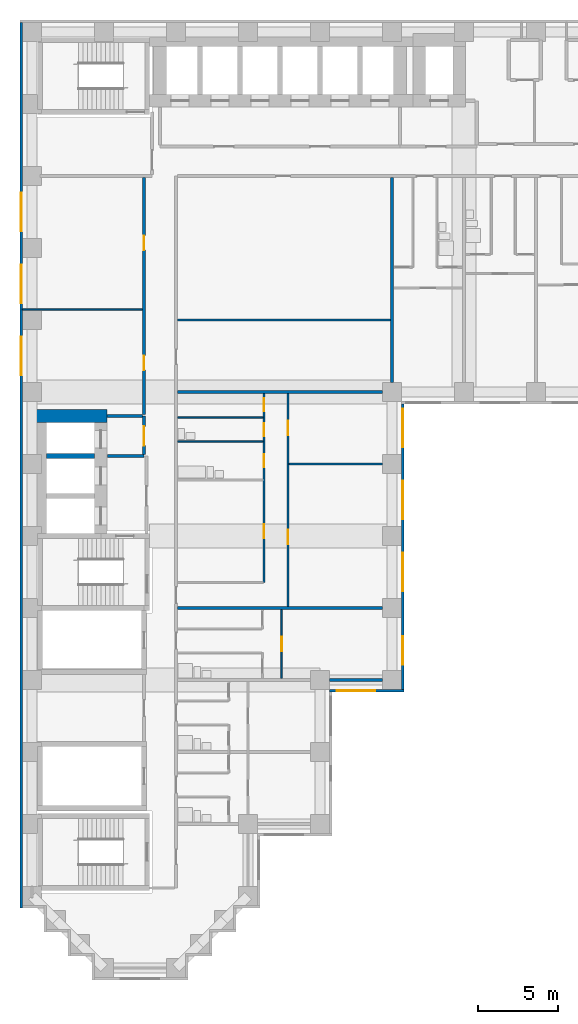
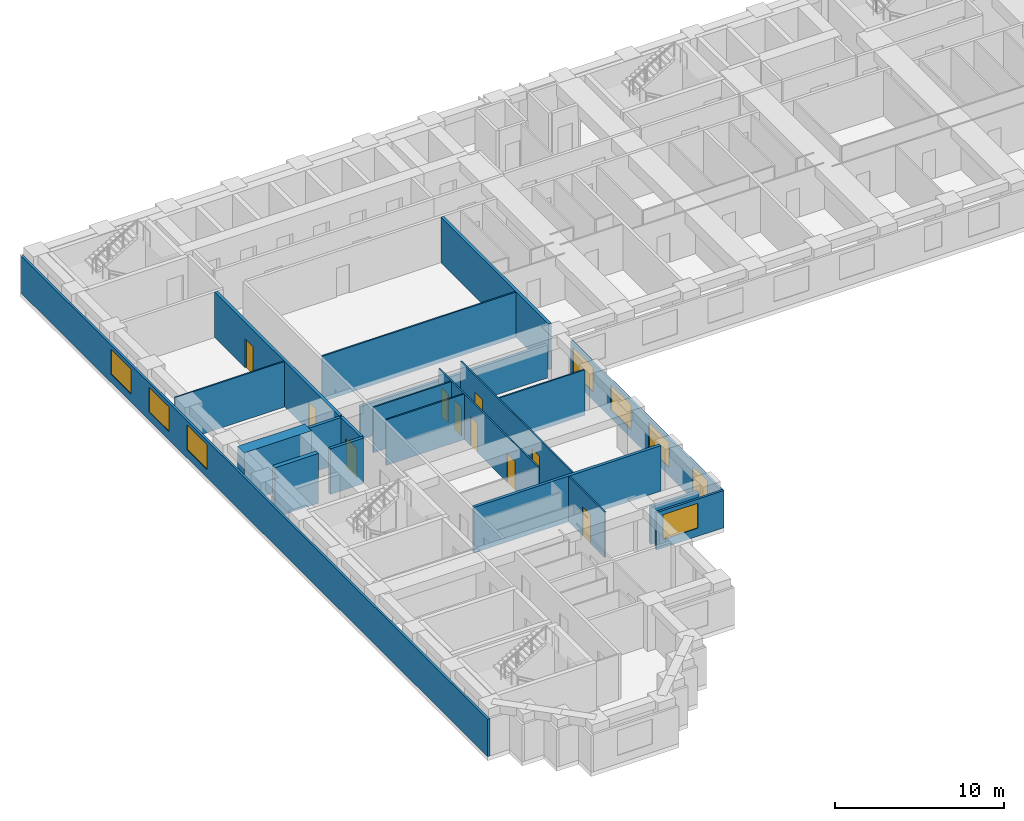
# One storey, part 4 of 12: 21 walls, 10 doors, 8 windows, 18 openings.
"""IFC4 building model written with IfcOpenShell, lengths in metres."""

from ifc_helpers import new_model, si_unit, direction, frame, frame_2d, origin, place, context, subcontext, project, spatial, rectangle, extrude, material, layer, layer_set, type_object, element, fill, save


model = new_model("IFC4")

# Units and contexts
model_context = context("Model", 3, precision=1e-05, world=origin(), true_north=direction((0.0, 1.0)))
body_context = subcontext(model_context, "Body", "Model", "MODEL_VIEW")
ifc_project = project(units=[si_unit("LENGTHUNIT", "METRE"), si_unit("AREAUNIT", "SQUARE_METRE"), si_unit("VOLUMEUNIT", "CUBIC_METRE"), si_unit("PLANEANGLEUNIT", "RADIAN"), si_unit("MASSUNIT", "GRAM", prefix="KILO")], contexts=[model_context])

# Site, building, storey
site_placement = place(None, origin())
site = spatial("IfcSite", under=ifc_project, at=site_placement, CompositionType="ELEMENT")
building_placement = place(site_placement, origin())
building = spatial("IfcBuilding", under=site, at=building_placement, Name="Firuza Court", CompositionType="ELEMENT")
storey_placement = place(building_placement, frame((0.0, 0.0, 43.39990234375)))
storey = spatial("IfcBuildingStorey", under=building, at=storey_placement, Name="L09", CompositionType="ELEMENT", Elevation=43.39990234375)

# Walls
ifc_material_1 = material(Name="Moisture-resistant gypsum board partition")
ifc_layer_1 = layer(ifc_material_1, 0.10009765625)
ifc_layer_set_1 = layer_set([ifc_layer_1], Name="Moisture-resistant gypsum board partition")
wall_type_1 = type_object("IfcWallType", Name="Bathroom partition 100", PredefinedType="PLUMBINGWALL", material=ifc_layer_set_1)
for number, where, z_axis, x_axis, name in (
    (1, (9.10009765625, 32.89990234375, 0.0), (0.0, 0.0, 1.0), (1.0, 0.0, 0.0), "Bathroom partition 100 L09"),
    (2, (9.10009765625, 34.39990234375, 0.0), (0.0, 0.0, 1.0), (1.0, 0.0, 0.0), "Bathroom partition 100 L09"),
):
    element("IfcWall", number, at=place(storey_placement, frame(where, z_axis=z_axis, x_axis=x_axis)), inside=storey, type_object=wall_type_1, Name=name, PredefinedType="PLUMBINGWALL", context=body_context, shape_type="SweptSolid", body=[
        extrude(rectangle(XDim=5.349853515625, YDim=0.10009765625, at=frame_2d((2.6748046875, 0.0))), origin(), (0.0, 0.0, 1.0), 3.300048828125),
    ])
ifc_material_2 = material(Name="Concrete C60/75", Category="concrete")
ifc_layer_2 = layer(ifc_material_2, 0.300048828125)
ifc_layer_set_2 = layer_set([ifc_layer_2], Name="Concrete C60/75")
wall_type_2 = type_object("IfcWallType", Name="Core wall 300 C60/75", PredefinedType="SHEAR", material=ifc_layer_set_2)
wall_1_placement = place(storey_placement, frame((0.89990234375, 32.0, -0.2998046875), z_axis=(0.0, 0.0, 1.0), x_axis=(1.0, 0.0, 0.0)))
element("IfcWall", 3, at=wall_1_placement, inside=storey, type_object=wall_type_2, Name="Core wall lift shaft L09", PredefinedType="SHEAR", context=body_context, shape_type="SweptSolid", body=[
    extrude(rectangle(XDim=3.0, YDim=0.300048828125, at=frame_2d((1.5, 0.0))), origin(), (0.0, 0.0, 1.0), 3.599853515625),
])
ifc_layer_3 = layer(ifc_material_2, 0.800048828125)
ifc_layer_set_3 = layer_set([ifc_layer_3], Name="Concrete C60/75")
wall_type_3 = type_object("IfcWallType", Name="Core wall 800 C60/75", PredefinedType="SHEAR", material=ifc_layer_set_3)
wall_2_placement = place(storey_placement, frame((0.10009765625, 34.5, -0.2998046875), z_axis=(0.0, 0.0, 1.0), x_axis=(1.0, 0.0, 0.0)))
element("IfcWall", 4, at=wall_2_placement, inside=storey, type_object=wall_type_3, Name="Core wall lift shaft L09", PredefinedType="SHEAR", context=body_context, shape_type="SweptSolid", body=[
    extrude(rectangle(XDim=4.599853515625, YDim=0.800048828125, at=frame_2d((2.2998046875, 0.0))), origin(), (0.0, 0.0, 1.0), 3.599853515625),
])

# Wall, openings, doors
ifc_material_3 = material(Name="Blockwork, plastered both sides", Category="masonry")
ifc_layer_4 = layer(ifc_material_3, 0.199951171875)
ifc_layer_set_4 = layer_set([ifc_layer_4], Name="Blockwork, plastered both sides")
wall_type_4 = type_object("IfcWallType", Name="Corridor wall 200", PredefinedType="PARTITIONING", material=ifc_layer_set_4)
wall_3_placement = place(storey_placement, frame((7.0, 34.60009765625, 0.0), z_axis=(0.0, 0.0, 1.0), x_axis=(0.0, 1.0, 0.0)))
wall_3 = element("IfcWall", 5, at=wall_3_placement, inside=storey, type_object=wall_type_4, Name="Corridor wall 200 L09", PredefinedType="PARTITIONING", context=body_context, shape_type="SweptSolid", body=[
    extrude(rectangle(XDim=14.7998046875, YDim=0.199951171875, at=frame_2d((7.39990234375, 0.0))), origin(), (0.0, 0.0, 1.0), 3.300048828125),
])
opening_1_placement = place(wall_3_placement, frame((2.77490234375, 0.0, 0.0)))
opening_1 = element("IfcOpeningElement", 6, at=opening_1_placement, cuts=wall_3, Name="Opening D09041", PredefinedType="OPENING", context=body_context, shape_type="SweptSolid", body=[
    extrude(rectangle(XDim=0.89990234375, YDim=2.10009765625, at=frame_2d((0.449951171875, 1.050048828125))), frame((0.0, 0.11181640625, 0.0), z_axis=(0.0, -1.0, 0.0), x_axis=(1.0, 0.0, 0.0)), (0.0, 0.0, 1.0), 0.223876953125),
])
opening_2_placement = place(wall_3_placement, frame((10.27490234375, 0.0, 0.0)))
opening_2 = element("IfcOpeningElement", 7, at=opening_2_placement, cuts=wall_3, Name="Opening D09042", PredefinedType="OPENING", context=body_context, shape_type="SweptSolid", body=[
    extrude(rectangle(XDim=0.89990234375, YDim=2.10009765625, at=frame_2d((0.449951171875, 1.050048828125))), frame((0.0, 0.11181640625, 0.0), z_axis=(0.0, -1.0, 0.0), x_axis=(1.0, 0.0, 0.0)), (0.0, 0.0, 1.0), 0.223876953125),
])
ifc_material_4 = material(Name="Timber door leaf in hardwood frame", Category="wood")
door_type_1 = type_object("IfcDoorType", Name="Room door 900 EI 30", OperationType="SINGLE_SWING_LEFT", PredefinedType="DOOR", material=ifc_material_4)
door_1_placement = place(opening_1_placement, origin())
door_1 = element("IfcDoor", 8, at=door_1_placement, inside=storey, type_object=door_type_1, Name="Meeting room door", OperationType="SINGLE_SWING_LEFT", OverallHeight=2.10009765625, OverallWidth=0.89990234375, PredefinedType="DOOR", context=body_context, shape_type="SweptSolid", body=[
    extrude(rectangle(XDim=0.89990234375, YDim=2.10009765625, at=frame_2d((0.449951171875, 1.050048828125))), frame((0.0, 0.02490234375, 0.0), z_axis=(0.0, -1.0, 0.0), x_axis=(1.0, 0.0, 0.0)), (0.0, 0.0, 1.0), 0.050048828125),
])
fill(opening_1, door_1)
door_2_placement = place(opening_2_placement, origin())
door_2 = element("IfcDoor", 9, at=door_2_placement, inside=storey, type_object=door_type_1, Name="Meeting room door", OperationType="SINGLE_SWING_LEFT", OverallHeight=2.10009765625, OverallWidth=0.89990234375, PredefinedType="DOOR", context=body_context, shape_type="SweptSolid", body=[
    extrude(rectangle(XDim=0.89990234375, YDim=2.10009765625, at=frame_2d((0.449951171875, 1.050048828125))), frame((0.0, 0.02490234375, 0.0), z_axis=(0.0, -1.0, 0.0), x_axis=(1.0, 0.0, 0.0)), (0.0, 0.0, 1.0), 0.050048828125),
])
fill(opening_2, door_2)

# Wall, opening, door
ifc_material_5 = material(Name="Timber stud partition, plasterboard both sides", Category="wood")
ifc_layer_5 = layer(ifc_material_5, 0.10009765625)
ifc_layer_set_5 = layer_set([ifc_layer_5], Name="Timber stud partition, plasterboard both sides")
wall_type_5 = type_object("IfcWallType", Name="Partition wall 100", PredefinedType="PARTITIONING", material=ifc_layer_set_5)
wall_4_placement = place(storey_placement, frame((15.60009765625, 18.10009765625, 0.0), z_axis=(0.0, 0.0, 1.0), x_axis=(0.0, 1.0, 0.0)))
wall_4 = element("IfcWall", 10, at=wall_4_placement, inside=storey, type_object=wall_type_5, Name="Partition wall 100 L09", PredefinedType="PARTITIONING", context=body_context, shape_type="SweptSolid", body=[
    extrude(rectangle(XDim=4.2998046875, YDim=0.10009765625, at=frame_2d((2.14990234375, 0.0))), origin(), (0.0, 0.0, 1.0), 3.300048828125),
])
opening_3_placement = place(wall_4_placement, frame((1.699951171875, 0.0, 0.0)))
opening_3 = element("IfcOpeningElement", 11, at=opening_3_placement, cuts=wall_4, Name="Opening D09033", PredefinedType="OPENING", context=body_context, shape_type="SweptSolid", body=[
    extrude(rectangle(XDim=0.89990234375, YDim=2.10009765625, at=frame_2d((0.449951171875, 1.050048828125))), frame((0.0, 0.06201171875, 0.0), z_axis=(0.0, -1.0, 0.0), x_axis=(1.0, 0.0, 0.0)), (0.0, 0.0, 1.0), 0.1240234375),
])
ifc_material_6 = material(Name="Timber door leaf in hardwood frame", Category="wood")
door_type_2 = type_object("IfcDoorType", Name="Room door 900", OperationType="SINGLE_SWING_LEFT", PredefinedType="DOOR", material=ifc_material_6)
door_3_placement = place(opening_3_placement, frame((0.89990234375, 0.0, 0.0), z_axis=(0.0, 0.0, 1.0), x_axis=(-1.0, 0.0, 0.0)))
door_3 = element("IfcDoor", 12, at=door_3_placement, inside=storey, type_object=door_type_2, Name="Studio room door", OperationType="SINGLE_SWING_RIGHT", OverallHeight=2.10009765625, OverallWidth=0.89990234375, PredefinedType="DOOR", context=body_context, shape_type="SweptSolid", body=[
    extrude(rectangle(XDim=0.89990234375, YDim=2.10009765625, at=frame_2d((0.449951171875, 1.050048828125))), frame((0.0, 0.02490234375, 0.0), z_axis=(0.0, -1.0, 0.0), x_axis=(1.0, 0.0, 0.0)), (0.0, 0.0, 1.0), 0.050048828125),
])
fill(opening_3, door_3)

# Wall, openings, doors
wall_5_placement = place(storey_placement, frame((16.0, 22.60009765625, 0.0), z_axis=(0.0, 0.0, 1.0), x_axis=(0.0, 1.0, 0.0)))
wall_5 = element("IfcWall", 13, at=wall_5_placement, inside=storey, type_object=wall_type_5, Name="Partition wall 100 L09", PredefinedType="PARTITIONING", context=body_context, shape_type="SweptSolid", body=[
    extrude(rectangle(XDim=13.2998046875, YDim=0.10009765625, at=frame_2d((6.64990234375, 0.0))), origin(), (0.0, 0.0, 1.0), 3.300048828125),
])
opening_4_placement = place(wall_5_placement, frame((3.89990234375, 0.0, 0.0)))
opening_4 = element("IfcOpeningElement", 14, at=opening_4_placement, cuts=wall_5, Name="Opening D09035", PredefinedType="OPENING", context=body_context, shape_type="SweptSolid", body=[
    extrude(rectangle(XDim=0.89990234375, YDim=2.10009765625, at=frame_2d((0.449951171875, 1.050048828125))), frame((0.0, 0.06201171875, 0.0), z_axis=(0.0, -1.0, 0.0), x_axis=(1.0, 0.0, 0.0)), (0.0, 0.0, 1.0), 0.1240234375),
])
opening_5_placement = place(wall_5_placement, frame((10.699951171875, 0.0, 0.0)))
opening_5 = element("IfcOpeningElement", 15, at=opening_5_placement, cuts=wall_5, Name="Opening D09036", PredefinedType="OPENING", context=body_context, shape_type="SweptSolid", body=[
    extrude(rectangle(XDim=0.89990234375, YDim=2.10009765625, at=frame_2d((0.449951171875, 1.050048828125))), frame((0.0, 0.06201171875, 0.0), z_axis=(0.0, -1.0, 0.0), x_axis=(1.0, 0.0, 0.0)), (0.0, 0.0, 1.0), 0.1240234375),
])
door_4_placement = place(opening_4_placement, frame((0.89990234375, 0.0, 0.0), z_axis=(0.0, 0.0, 1.0), x_axis=(-1.0, 0.0, 0.0)))
door_4 = element("IfcDoor", 16, at=door_4_placement, inside=storey, type_object=door_type_2, Name="Living room door", OperationType="SINGLE_SWING_RIGHT", OverallHeight=2.10009765625, OverallWidth=0.89990234375, PredefinedType="DOOR", context=body_context, shape_type="SweptSolid", body=[
    extrude(rectangle(XDim=0.89990234375, YDim=2.10009765625, at=frame_2d((0.449951171875, 1.050048828125))), frame((0.0, 0.02490234375, 0.0), z_axis=(0.0, -1.0, 0.0), x_axis=(1.0, 0.0, 0.0)), (0.0, 0.0, 1.0), 0.050048828125),
])
fill(opening_4, door_4)
door_5_placement = place(opening_5_placement, frame((0.89990234375, 0.0, 0.0), z_axis=(0.0, 0.0, 1.0), x_axis=(-1.0, 0.0, 0.0)))
door_5 = element("IfcDoor", 17, at=door_5_placement, inside=storey, type_object=door_type_2, Name="Bedroom door", OperationType="SINGLE_SWING_RIGHT", OverallHeight=2.10009765625, OverallWidth=0.89990234375, PredefinedType="DOOR", context=body_context, shape_type="SweptSolid", body=[
    extrude(rectangle(XDim=0.89990234375, YDim=2.10009765625, at=frame_2d((0.449951171875, 1.050048828125))), frame((0.0, 0.02490234375, 0.0), z_axis=(0.0, -1.0, 0.0), x_axis=(1.0, 0.0, 0.0)), (0.0, 0.0, 1.0), 0.050048828125),
])
fill(opening_5, door_5)

wall_6_placement = place(storey_placement, frame((14.5, 24.10009765625, 0.0), z_axis=(0.0, 0.0, 1.0), x_axis=(0.0, 1.0, 0.0)))
wall_6 = element("IfcWall", 18, at=wall_6_placement, inside=storey, type_object=wall_type_5, Name="Partition wall 100 L09", PredefinedType="PARTITIONING", context=body_context, shape_type="SweptSolid", body=[
    extrude(rectangle(XDim=11.7998046875, YDim=0.10009765625, at=frame_2d((5.89990234375, 0.0))), origin(), (0.0, 0.0, 1.0), 3.300048828125),
])
opening_6_placement = place(wall_6_placement, frame((7.199951171875, 0.0, 0.0)))
opening_6 = element("IfcOpeningElement", 19, at=opening_6_placement, cuts=wall_6, Name="Opening D09037", PredefinedType="OPENING", context=body_context, shape_type="SweptSolid", body=[
    extrude(rectangle(XDim=0.800048828125, YDim=2.10009765625, at=frame_2d((0.39990234375, 1.050048828125))), frame((0.0, 0.06201171875, 0.0), z_axis=(0.0, -1.0, 0.0), x_axis=(1.0, 0.0, 0.0)), (0.0, 0.0, 1.0), 0.1240234375),
])
opening_7_placement = place(wall_6_placement, frame((2.75, 0.0, 0.0)))
opening_7 = element("IfcOpeningElement", 20, at=opening_7_placement, cuts=wall_6, Name="Opening D09038", PredefinedType="OPENING", context=body_context, shape_type="SweptSolid", body=[
    extrude(rectangle(XDim=0.89990234375, YDim=2.10009765625, at=frame_2d((0.449951171875, 1.050048828125))), frame((0.0, 0.06201171875, 0.0), z_axis=(0.0, -1.0, 0.0), x_axis=(1.0, 0.0, 0.0)), (0.0, 0.0, 1.0), 0.1240234375),
])
opening_8_placement = place(wall_6_placement, frame((10.699951171875, 0.0, 0.0)))
opening_8 = element("IfcOpeningElement", 21, at=opening_8_placement, cuts=wall_6, Name="Opening D09039", PredefinedType="OPENING", context=body_context, shape_type="SweptSolid", body=[
    extrude(rectangle(XDim=0.800048828125, YDim=2.10009765625, at=frame_2d((0.39990234375, 1.050048828125))), frame((0.0, 0.06201171875, 0.0), z_axis=(0.0, -1.0, 0.0), x_axis=(1.0, 0.0, 0.0)), (0.0, 0.0, 1.0), 0.1240234375),
])
opening_9_placement = place(wall_6_placement, frame((9.14990234375, 0.0, 0.0)))
opening_9 = element("IfcOpeningElement", 22, at=opening_9_placement, cuts=wall_6, Name="Opening D09040", PredefinedType="OPENING", context=body_context, shape_type="SweptSolid", body=[
    extrude(rectangle(XDim=0.800048828125, YDim=2.10009765625, at=frame_2d((0.39990234375, 1.050048828125))), frame((0.0, 0.06201171875, 0.0), z_axis=(0.0, -1.0, 0.0), x_axis=(1.0, 0.0, 0.0)), (0.0, 0.0, 1.0), 0.1240234375),
])
ifc_material_7 = material(Name="Timber door leaf in hardwood frame", Category="wood")
door_type_3 = type_object("IfcDoorType", Name="Bathroom door 800", OperationType="SINGLE_SWING_LEFT", PredefinedType="DOOR", material=ifc_material_7)
door_6_placement = place(opening_6_placement, origin())
door_6 = element("IfcDoor", 23, at=door_6_placement, inside=storey, type_object=door_type_3, Name="Bathroom door", OperationType="SINGLE_SWING_LEFT", OverallHeight=2.10009765625, OverallWidth=0.800048828125, PredefinedType="DOOR", context=body_context, shape_type="SweptSolid", body=[
    extrude(rectangle(XDim=0.800048828125, YDim=2.10009765625, at=frame_2d((0.39990234375, 1.050048828125))), frame((0.0, 0.02490234375, 0.0), z_axis=(0.0, -1.0, 0.0), x_axis=(1.0, 0.0, 0.0)), (0.0, 0.0, 1.0), 0.050048828125),
])
fill(opening_6, door_6)
door_7_placement = place(opening_9_placement, origin())
door_7 = element("IfcDoor", 24, at=door_7_placement, inside=storey, type_object=door_type_3, Name="Powder room door", OperationType="SINGLE_SWING_LEFT", OverallHeight=2.10009765625, OverallWidth=0.800048828125, PredefinedType="DOOR", context=body_context, shape_type="SweptSolid", body=[
    extrude(rectangle(XDim=0.800048828125, YDim=2.10009765625, at=frame_2d((0.39990234375, 1.050048828125))), frame((0.0, 0.02490234375, 0.0), z_axis=(0.0, -1.0, 0.0), x_axis=(1.0, 0.0, 0.0)), (0.0, 0.0, 1.0), 0.050048828125),
])
fill(opening_9, door_7)
ifc_material_8 = material(Name="Timber door leaf in hardwood frame", Category="wood")
door_type_4 = type_object("IfcDoorType", Name="Room door 800", OperationType="SINGLE_SWING_LEFT", PredefinedType="DOOR", material=ifc_material_8)
door_8_placement = place(opening_8_placement, origin())
door_8 = element("IfcDoor", 25, at=door_8_placement, inside=storey, type_object=door_type_4, Name="Store door", OperationType="SINGLE_SWING_LEFT", OverallHeight=2.10009765625, OverallWidth=0.800048828125, PredefinedType="DOOR", context=body_context, shape_type="SweptSolid", body=[
    extrude(rectangle(XDim=0.800048828125, YDim=2.10009765625, at=frame_2d((0.39990234375, 1.050048828125))), frame((0.0, 0.02490234375, 0.0), z_axis=(0.0, -1.0, 0.0), x_axis=(1.0, 0.0, 0.0)), (0.0, 0.0, 1.0), 0.050048828125),
])
fill(opening_8, door_8)
door_9_placement = place(opening_7_placement, origin())
door_9 = element("IfcDoor", 26, at=door_9_placement, inside=storey, type_object=door_type_2, Name="Kitchen door", OperationType="SINGLE_SWING_LEFT", OverallHeight=2.10009765625, OverallWidth=0.89990234375, PredefinedType="DOOR", context=body_context, shape_type="SweptSolid", body=[
    extrude(rectangle(XDim=0.89990234375, YDim=2.10009765625, at=frame_2d((0.449951171875, 1.050048828125))), frame((0.0, 0.02490234375, 0.0), z_axis=(0.0, -1.0, 0.0), x_axis=(1.0, 0.0, 0.0)), (0.0, 0.0, 1.0), 0.050048828125),
])
fill(opening_7, door_9)

# Walls
wall_7_placement = place(storey_placement, frame((16.050048828125, 31.5, 0.0), z_axis=(0.0, 0.0, 1.0), x_axis=(1.0, 0.0, 0.0)))
element("IfcWall", 27, at=wall_7_placement, inside=storey, type_object=wall_type_5, Name="Partition wall 100 L09", PredefinedType="PARTITIONING", context=body_context, shape_type="SweptSolid", body=[
    extrude(rectangle(XDim=5.849853515625, YDim=0.10009765625, at=frame_2d((2.9248046875, 0.0))), origin(), (0.0, 0.0, 1.0), 3.300048828125),
])
wall_8_placement = place(storey_placement, frame((9.10009765625, 40.5, 0.0), z_axis=(0.0, 0.0, 1.0), x_axis=(1.0, 0.0, 0.0)))
element("IfcWall", 28, at=wall_8_placement, inside=storey, type_object=wall_type_5, Name="Partition wall 100 L09", PredefinedType="PARTITIONING", context=body_context, shape_type="SweptSolid", body=[
    extrude(rectangle(XDim=13.2998046875, YDim=0.10009765625, at=frame_2d((6.64990234375, 0.0))), origin(), (0.0, 0.0, 1.0), 3.300048828125),
])
wall_9_placement = place(storey_placement, frame((-0.60009765625, 41.14990234375, 0.0), z_axis=(0.0, 0.0, 1.0), x_axis=(1.0, 0.0, 0.0)))
element("IfcWall", 29, at=wall_9_placement, inside=storey, type_object=wall_type_5, Name="Partition wall 100 L09", PredefinedType="PARTITIONING", context=body_context, shape_type="SweptSolid", body=[
    extrude(rectangle(XDim=7.5, YDim=0.10009765625, at=frame_2d((3.75, 0.0))), origin(), (0.0, 0.0, 1.0), 3.300048828125),
])
ifc_layer_6 = layer(ifc_material_3, 0.199951171875)
ifc_layer_set_6 = layer_set([ifc_layer_6], Name="Blockwork, plastered both sides")
wall_type_6 = type_object("IfcWallType", Name="Party wall 200", PredefinedType="PARTITIONING", material=ifc_layer_set_6)
wall_10_placement = place(storey_placement, frame((18.60009765625, 18.0, 0.0), z_axis=(0.0, 0.0, 1.0), x_axis=(1.0, 0.0, 0.0)))
element("IfcWall", 30, at=wall_10_placement, inside=storey, type_object=wall_type_6, Name="Party wall 200 L09", PredefinedType="PARTITIONING", context=body_context, shape_type="SweptSolid", body=[
    extrude(rectangle(XDim=3.2998046875, YDim=0.199951171875, at=frame_2d((1.64990234375, 0.0))), origin(), (0.0, 0.0, 1.0), 2.7001953125),
])
wall_11_placement = place(storey_placement, frame((9.10009765625, 22.5, 0.0), z_axis=(0.0, 0.0, 1.0), x_axis=(1.0, 0.0, 0.0)))
element("IfcWall", 31, at=wall_11_placement, inside=storey, type_object=wall_type_6, Name="Party wall 200 L09", PredefinedType="PARTITIONING", context=body_context, shape_type="SweptSolid", body=[
    extrude(rectangle(XDim=12.7998046875, YDim=0.199951171875, at=frame_2d((6.39990234375, 0.0))), origin(), (0.0, 0.0, 1.0), 3.300048828125),
])
wall_12_placement = place(storey_placement, frame((9.10009765625, 36.0, 0.0), z_axis=(0.0, 0.0, 1.0), x_axis=(1.0, 0.0, 0.0)))
element("IfcWall", 32, at=wall_12_placement, inside=storey, type_object=wall_type_6, Name="Party wall 200 L09", PredefinedType="PARTITIONING", context=body_context, shape_type="SweptSolid", body=[
    extrude(rectangle(XDim=12.7998046875, YDim=0.199951171875, at=frame_2d((6.39990234375, 0.0))), origin(), (0.0, 0.0, 1.0), 2.400146484375),
])
wall_13_placement = place(storey_placement, frame((22.5, 36.60009765625, 0.0), z_axis=(0.0, 0.0, 1.0), x_axis=(0.0, 1.0, 0.0)))
element("IfcWall", 33, at=wall_13_placement, inside=storey, type_object=wall_type_6, Name="Party wall 200 L09", PredefinedType="PARTITIONING", context=body_context, shape_type="SweptSolid", body=[
    extrude(rectangle(XDim=12.7998046875, YDim=0.199951171875, at=frame_2d((6.39990234375, 0.0))), origin(), (0.0, 0.0, 1.0), 3.300048828125),
])

# Wall, opening, window
ifc_material_9 = material(Name="Ceramic tile", Category="ceramic")
ifc_layer_7 = layer(ifc_material_9, 0.02001953125)
ifc_material_10 = material(Name="Mineral wool insulation", Category="insulation")
ifc_layer_8 = layer(ifc_material_10, 0.050048828125)
ifc_material_11 = material(Name="Concrete C40/50 precast", Category="concrete")
ifc_layer_9 = layer(ifc_material_11, 0.080078125)
ifc_layer_set_7 = layer_set([ifc_layer_7, ifc_layer_8, ifc_layer_9], Name="Concrete C40/50 precast")
wall_type_7 = type_object("IfcWallType", Name="Precast cladding wall with turquoise TILE PANEL face 150", PredefinedType="STANDARD", material=ifc_layer_set_7)
wall_14_placement = place(storey_placement, frame((18.60009765625, 17.324951171875, 0.0), z_axis=(0.0, 0.0, 1.0), x_axis=(1.0, 0.0, 0.0)))
wall_14 = element("IfcWall", 34, at=wall_14_placement, inside=storey, type_object=wall_type_7, Name="Facade wall L09 S", PredefinedType="STANDARD", context=body_context, shape_type="SweptSolid", body=[
    extrude(rectangle(XDim=4.64990234375, YDim=0.14990234375, at=frame_2d((2.324951171875, 0.0))), origin(), (0.0, 0.0, 1.0), 2.7001953125),
])
opening_10_placement = place(wall_14_placement, frame((0.449951171875, 0.0, 0.60009765625)))
opening_10 = element("IfcOpeningElement", 35, at=opening_10_placement, cuts=wall_14, Name="Opening W1", PredefinedType="OPENING", context=body_context, shape_type="SweptSolid", body=[
    extrude(rectangle(XDim=2.39990234375, YDim=1.800048828125, at=frame_2d((1.199951171875, 0.89990234375))), frame((0.0, 0.0869140625, 0.0), z_axis=(0.0, -1.0, 0.0), x_axis=(1.0, 0.0, 0.0)), (0.0, 0.0, 1.0), 0.173828125),
])
ifc_material_12 = material(Name="Aluminium frame, triple clear glazing", Category="aluminium")
window_type_1 = type_object("IfcWindowType", Name="Window W1 2400 x 1800", PartitioningType="SINGLE_PANEL", PredefinedType="WINDOW", material=ifc_material_12)
window_1_placement = place(opening_10_placement, origin())
window_1 = element("IfcWindow", 36, at=window_1_placement, inside=storey, type_object=window_type_1, Name="Window L09", OverallHeight=1.800048828125, OverallWidth=2.39990234375, PartitioningType="SINGLE_PANEL", PredefinedType="WINDOW", context=body_context, shape_type="SweptSolid", body=[
    extrude(rectangle(XDim=2.39990234375, YDim=1.800048828125, at=frame_2d((1.199951171875, 0.89990234375))), frame((0.0, 0.030029296875, 0.0), z_axis=(0.0, -1.0, 0.0), x_axis=(1.0, 0.0, 0.0)), (0.0, 0.0, 1.0), 0.06005859375),
])
fill(opening_10, window_1)

# Wall, openings, windows
wall_15_placement = place(storey_placement, frame((23.175048828125, 17.39990234375, 0.0), z_axis=(0.0, 0.0, 1.0), x_axis=(0.0, 1.0, 0.0)))
wall_15 = element("IfcWall", 37, at=wall_15_placement, inside=storey, type_object=wall_type_7, Name="Facade wall L09 E", PredefinedType="STANDARD", context=body_context, shape_type="SweptSolid", body=[
    extrude(rectangle(XDim=17.85009765625, YDim=0.14990234375, at=frame_2d((8.925048828125, 0.0))), origin(), (0.0, 0.0, 1.0), 2.7001953125),
])
opening_11_placement = place(wall_15_placement, frame((1.547607421875, 0.0, 0.60009765625)))
opening_11 = element("IfcOpeningElement", 38, at=opening_11_placement, cuts=wall_15, Name="Opening W7", PredefinedType="OPENING", context=body_context, shape_type="SweptSolid", body=[
    extrude(rectangle(XDim=1.800048828125, YDim=1.800048828125, at=frame_2d((0.89990234375, 0.89990234375))), frame((0.0, 0.0869140625, 0.0), z_axis=(0.0, -1.0, 0.0), x_axis=(1.0, 0.0, 0.0)), (0.0, 0.0, 1.0), 0.173828125),
])
opening_12_placement = place(wall_15_placement, frame((6.14990234375, 0.0, 0.60009765625)))
opening_12 = element("IfcOpeningElement", 39, at=opening_12_placement, cuts=wall_15, Name="Opening W1", PredefinedType="OPENING", context=body_context, shape_type="SweptSolid", body=[
    extrude(rectangle(XDim=2.39990234375, YDim=1.800048828125, at=frame_2d((1.199951171875, 0.89990234375))), frame((0.0, 0.0869140625, 0.0), z_axis=(0.0, -1.0, 0.0), x_axis=(1.0, 0.0, 0.0)), (0.0, 0.0, 1.0), 0.173828125),
])
opening_13_placement = place(wall_15_placement, frame((10.64990234375, 0.0, 0.60009765625)))
opening_13 = element("IfcOpeningElement", 40, at=opening_13_placement, cuts=wall_15, Name="Opening W1", PredefinedType="OPENING", context=body_context, shape_type="SweptSolid", body=[
    extrude(rectangle(XDim=2.39990234375, YDim=1.800048828125, at=frame_2d((1.199951171875, 0.89990234375))), frame((0.0, 0.0869140625, 0.0), z_axis=(0.0, -1.0, 0.0), x_axis=(1.0, 0.0, 0.0)), (0.0, 0.0, 1.0), 0.173828125),
])
opening_14_placement = place(wall_15_placement, frame((15.14990234375, 0.0, 0.60009765625)))
opening_14 = element("IfcOpeningElement", 41, at=opening_14_placement, cuts=wall_15, Name="Opening W1", PredefinedType="OPENING", context=body_context, shape_type="SweptSolid", body=[
    extrude(rectangle(XDim=2.39990234375, YDim=1.800048828125, at=frame_2d((1.199951171875, 0.89990234375))), frame((0.0, 0.0869140625, 0.0), z_axis=(0.0, -1.0, 0.0), x_axis=(1.0, 0.0, 0.0)), (0.0, 0.0, 1.0), 0.173828125),
])
window_2_placement = place(opening_12_placement, origin())
window_2 = element("IfcWindow", 42, at=window_2_placement, inside=storey, type_object=window_type_1, Name="Window L09", OverallHeight=1.800048828125, OverallWidth=2.39990234375, PartitioningType="SINGLE_PANEL", PredefinedType="WINDOW", context=body_context, shape_type="SweptSolid", body=[
    extrude(rectangle(XDim=2.39990234375, YDim=1.800048828125, at=frame_2d((1.199951171875, 0.89990234375))), frame((0.0, 0.030029296875, 0.0), z_axis=(0.0, -1.0, 0.0), x_axis=(1.0, 0.0, 0.0)), (0.0, 0.0, 1.0), 0.06005859375),
])
fill(opening_12, window_2)
window_3_placement = place(opening_13_placement, origin())
window_3 = element("IfcWindow", 43, at=window_3_placement, inside=storey, type_object=window_type_1, Name="Window L09", OverallHeight=1.800048828125, OverallWidth=2.39990234375, PartitioningType="SINGLE_PANEL", PredefinedType="WINDOW", context=body_context, shape_type="SweptSolid", body=[
    extrude(rectangle(XDim=2.39990234375, YDim=1.800048828125, at=frame_2d((1.199951171875, 0.89990234375))), frame((0.0, 0.030029296875, 0.0), z_axis=(0.0, -1.0, 0.0), x_axis=(1.0, 0.0, 0.0)), (0.0, 0.0, 1.0), 0.06005859375),
])
fill(opening_13, window_3)
window_4_placement = place(opening_14_placement, origin())
window_4 = element("IfcWindow", 44, at=window_4_placement, inside=storey, type_object=window_type_1, Name="Window L09", OverallHeight=1.800048828125, OverallWidth=2.39990234375, PartitioningType="SINGLE_PANEL", PredefinedType="WINDOW", context=body_context, shape_type="SweptSolid", body=[
    extrude(rectangle(XDim=2.39990234375, YDim=1.800048828125, at=frame_2d((1.199951171875, 0.89990234375))), frame((0.0, 0.030029296875, 0.0), z_axis=(0.0, -1.0, 0.0), x_axis=(1.0, 0.0, 0.0)), (0.0, 0.0, 1.0), 0.06005859375),
])
fill(opening_14, window_4)
ifc_material_13 = material(Name="Aluminium frame, triple clear glazing", Category="aluminium")
window_type_2 = type_object("IfcWindowType", Name="Window W7 1800 x 1800", PartitioningType="SINGLE_PANEL", PredefinedType="WINDOW", material=ifc_material_13)
window_5_placement = place(opening_11_placement, origin())
window_5 = element("IfcWindow", 45, at=window_5_placement, inside=storey, type_object=window_type_2, Name="Window L09", OverallHeight=1.800048828125, OverallWidth=1.800048828125, PartitioningType="SINGLE_PANEL", PredefinedType="WINDOW", context=body_context, shape_type="SweptSolid", body=[
    extrude(rectangle(XDim=1.800048828125, YDim=1.800048828125, at=frame_2d((0.89990234375, 0.89990234375))), frame((0.0, 0.030029296875, 0.0), z_axis=(0.0, -1.0, 0.0), x_axis=(1.0, 0.0, 0.0)), (0.0, 0.0, 1.0), 0.06005859375),
])
fill(opening_11, window_5)

wall_16_placement = place(storey_placement, frame((-0.675048828125, 59.10009765625, 0.0), z_axis=(0.0, 0.0, 1.0), x_axis=(0.0, -1.0, 0.0)))
wall_16 = element("IfcWall", 46, at=wall_16_placement, inside=storey, type_object=wall_type_7, Name="Facade wall L09 W", PredefinedType="STANDARD", context=body_context, shape_type="SweptSolid", body=[
    extrude(rectangle(XDim=55.35009765625, YDim=0.14990234375, at=frame_2d((27.675048828125, 0.0))), origin(), (0.0, 0.0, 1.0), 2.7001953125),
])
opening_15_placement = place(wall_16_placement, frame((10.64990234375, 0.0, 0.60009765625)))
opening_15 = element("IfcOpeningElement", 47, at=opening_15_placement, cuts=wall_16, Name="Opening W1", PredefinedType="OPENING", context=body_context, shape_type="SweptSolid", body=[
    extrude(rectangle(XDim=2.39990234375, YDim=1.800048828125, at=frame_2d((1.199951171875, 0.89990234375))), frame((0.0, 0.0869140625, 0.0), z_axis=(0.0, -1.0, 0.0), x_axis=(1.0, 0.0, 0.0)), (0.0, 0.0, 1.0), 0.173828125),
])
opening_16_placement = place(wall_16_placement, frame((15.14990234375, 0.0, 0.60009765625)))
opening_16 = element("IfcOpeningElement", 48, at=opening_16_placement, cuts=wall_16, Name="Opening W1", PredefinedType="OPENING", context=body_context, shape_type="SweptSolid", body=[
    extrude(rectangle(XDim=2.39990234375, YDim=1.800048828125, at=frame_2d((1.199951171875, 0.89990234375))), frame((0.0, 0.0869140625, 0.0), z_axis=(0.0, -1.0, 0.0), x_axis=(1.0, 0.0, 0.0)), (0.0, 0.0, 1.0), 0.173828125),
])
opening_17_placement = place(wall_16_placement, frame((19.64990234375, 0.0, 0.60009765625)))
opening_17 = element("IfcOpeningElement", 49, at=opening_17_placement, cuts=wall_16, Name="Opening W1", PredefinedType="OPENING", context=body_context, shape_type="SweptSolid", body=[
    extrude(rectangle(XDim=2.39990234375, YDim=1.800048828125, at=frame_2d((1.199951171875, 0.89990234375))), frame((0.0, 0.0869140625, 0.0), z_axis=(0.0, -1.0, 0.0), x_axis=(1.0, 0.0, 0.0)), (0.0, 0.0, 1.0), 0.173828125),
])
window_6_placement = place(opening_15_placement, origin())
window_6 = element("IfcWindow", 50, at=window_6_placement, inside=storey, type_object=window_type_1, Name="Window L09", OverallHeight=1.800048828125, OverallWidth=2.39990234375, PartitioningType="SINGLE_PANEL", PredefinedType="WINDOW", context=body_context, shape_type="SweptSolid", body=[
    extrude(rectangle(XDim=2.39990234375, YDim=1.800048828125, at=frame_2d((1.199951171875, 0.89990234375))), frame((0.0, 0.030029296875, 0.0), z_axis=(0.0, -1.0, 0.0), x_axis=(1.0, 0.0, 0.0)), (0.0, 0.0, 1.0), 0.06005859375),
])
fill(opening_15, window_6)
window_7_placement = place(opening_16_placement, origin())
window_7 = element("IfcWindow", 51, at=window_7_placement, inside=storey, type_object=window_type_1, Name="Window L09", OverallHeight=1.800048828125, OverallWidth=2.39990234375, PartitioningType="SINGLE_PANEL", PredefinedType="WINDOW", context=body_context, shape_type="SweptSolid", body=[
    extrude(rectangle(XDim=2.39990234375, YDim=1.800048828125, at=frame_2d((1.199951171875, 0.89990234375))), frame((0.0, 0.030029296875, 0.0), z_axis=(0.0, -1.0, 0.0), x_axis=(1.0, 0.0, 0.0)), (0.0, 0.0, 1.0), 0.06005859375),
])
fill(opening_16, window_7)
window_8_placement = place(opening_17_placement, origin())
window_8 = element("IfcWindow", 52, at=window_8_placement, inside=storey, type_object=window_type_1, Name="Window L09", OverallHeight=1.800048828125, OverallWidth=2.39990234375, PartitioningType="SINGLE_PANEL", PredefinedType="WINDOW", context=body_context, shape_type="SweptSolid", body=[
    extrude(rectangle(XDim=2.39990234375, YDim=1.800048828125, at=frame_2d((1.199951171875, 0.89990234375))), frame((0.0, 0.030029296875, 0.0), z_axis=(0.0, -1.0, 0.0), x_axis=(1.0, 0.0, 0.0)), (0.0, 0.0, 1.0), 0.06005859375),
])
fill(opening_17, window_8)

# Wall
ifc_material_14 = material(Name="Blockwork, fire-rated", Category="masonry")
ifc_layer_10 = layer(ifc_material_14, 0.199951171875)
ifc_layer_set_8 = layer_set([ifc_layer_10], Name="Blockwork, fire-rated")
wall_type_8 = type_object("IfcWallType", Name="Shaft wall 200", PredefinedType="PARTITIONING", material=ifc_layer_set_8)
wall_17_placement = place(storey_placement, frame((4.719970703125, 32.0, 0.0), z_axis=(0.0, 0.0, 1.0), x_axis=(1.0, 0.0, 0.0)))
element("IfcWall", 53, at=wall_17_placement, inside=storey, type_object=wall_type_8, Name="Shaft wall 200 L09", PredefinedType="PARTITIONING", context=body_context, shape_type="SweptSolid", body=[
    extrude(rectangle(XDim=2.280029296875, YDim=0.199951171875, at=frame_2d((1.14013671875, 0.0))), origin(), (0.0, 0.0, 1.0), 3.300048828125),
])

# Wall, opening, door
wall_18_placement = place(storey_placement, frame((7.0, 32.10009765625, 0.0), z_axis=(0.0, 0.0, 1.0), x_axis=(0.0, 1.0, 0.0)))
wall_18 = element("IfcWall", 54, at=wall_18_placement, inside=storey, type_object=wall_type_8, Name="Shaft wall 200 L09", PredefinedType="PARTITIONING", context=body_context, shape_type="SweptSolid", body=[
    extrude(rectangle(XDim=2.39990234375, YDim=0.199951171875, at=frame_2d((1.199951171875, 0.0))), origin(), (0.0, 0.0, 1.0), 3.300048828125),
])
opening_18_placement = place(wall_18_placement, frame((0.550048828125, 0.0, 0.0)))
opening_18 = element("IfcOpeningElement", 55, at=opening_18_placement, cuts=wall_18, Name="Opening D09008", PredefinedType="OPENING", context=body_context, shape_type="SweptSolid", body=[
    extrude(rectangle(XDim=1.199951171875, YDim=2.10009765625, at=frame_2d((0.60009765625, 1.050048828125))), frame((0.0, 0.11181640625, 0.0), z_axis=(0.0, -1.0, 0.0), x_axis=(1.0, 0.0, 0.0)), (0.0, 0.0, 1.0), 0.223876953125),
])
ifc_material_15 = material(Name="Timber door leaf in hardwood frame", Category="wood")
door_type_5 = type_object("IfcDoorType", Name="Lobby door 1200", OperationType="SINGLE_SWING_LEFT", PredefinedType="DOOR", material=ifc_material_15)
door_10_placement = place(opening_18_placement, origin())
door_10 = element("IfcDoor", 56, at=door_10_placement, inside=storey, type_object=door_type_5, Name="Lobby door", OperationType="SINGLE_SWING_LEFT", OverallHeight=2.10009765625, OverallWidth=1.199951171875, PredefinedType="DOOR", context=body_context, shape_type="SweptSolid", body=[
    extrude(rectangle(XDim=1.199951171875, YDim=2.10009765625, at=frame_2d((0.60009765625, 1.050048828125))), frame((0.0, 0.02490234375, 0.0), z_axis=(0.0, -1.0, 0.0), x_axis=(1.0, 0.0, 0.0)), (0.0, 0.0, 1.0), 0.050048828125),
])
fill(opening_18, door_10)

# Wall
wall_19_placement = place(storey_placement, frame((4.699951171875, 34.5, 0.0), z_axis=(0.0, 0.0, 1.0), x_axis=(1.0, 0.0, 0.0)))
element("IfcWall", 57, at=wall_19_placement, inside=storey, type_object=wall_type_8, Name="Shaft wall 200 L09", PredefinedType="PARTITIONING", context=body_context, shape_type="SweptSolid", body=[
    extrude(rectangle(XDim=2.199951171875, YDim=0.199951171875, at=frame_2d((1.10009765625, 0.0))), origin(), (0.0, 0.0, 1.0), 3.300048828125),
])

save(model, "model.ifc")
